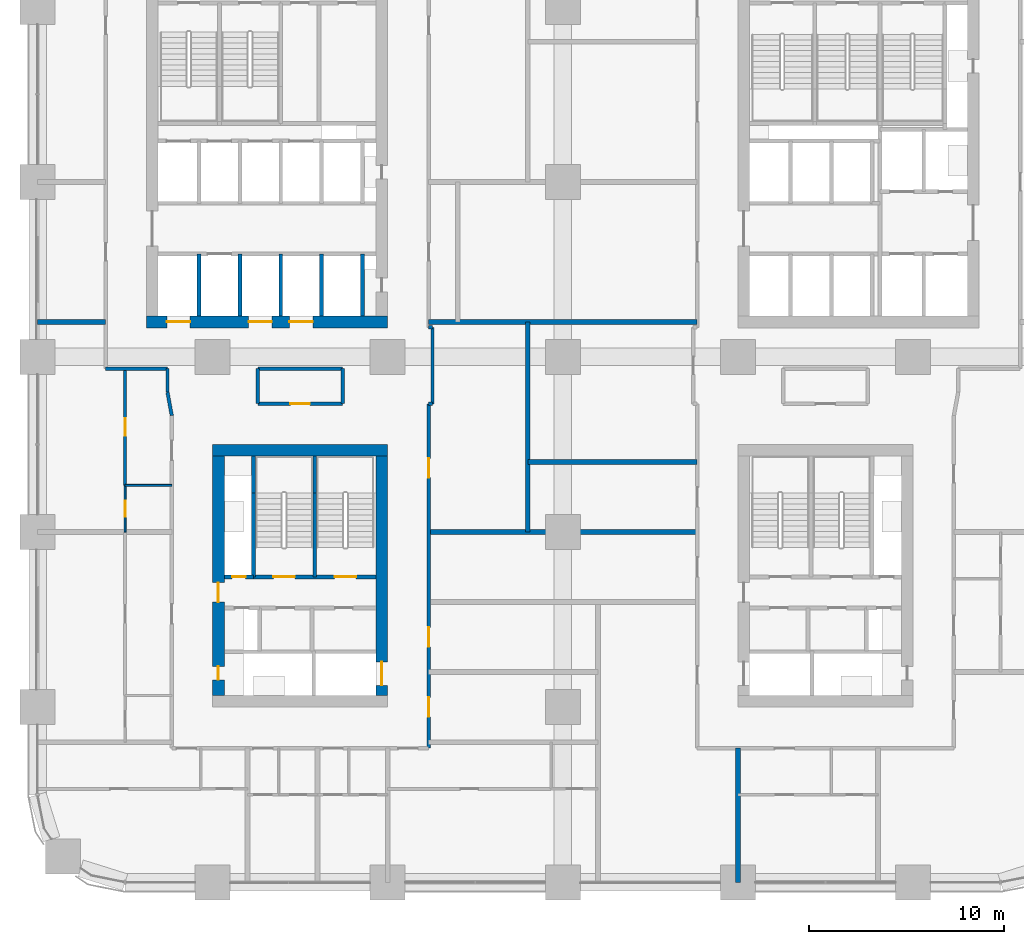
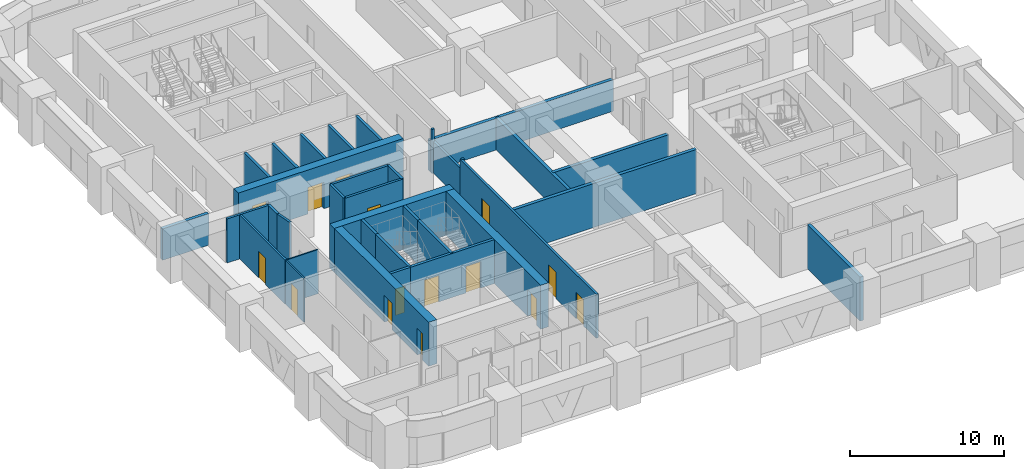
# One storey, part 14 of 21: 35 walls, 15 doors, 15 openings.
"""IFC4 building model written with IfcOpenShell, lengths in metres."""

from ifc_helpers import new_model, si_unit, direction, frame, frame_2d, origin, place, context, subcontext, project, spatial, rectangle, extrude, material, layer, layer_set, type_object, element, fill, save


model = new_model("IFC4")

# Units and contexts
model_context = context("Model", 3, precision=1e-05, world=origin(), true_north=direction((0.0, 1.0)))
body_context = subcontext(model_context, "Body", "Model", "MODEL_VIEW")
ifc_project = project(units=[si_unit("LENGTHUNIT", "METRE"), si_unit("AREAUNIT", "SQUARE_METRE"), si_unit("VOLUMEUNIT", "CUBIC_METRE"), si_unit("PLANEANGLEUNIT", "RADIAN"), si_unit("MASSUNIT", "GRAM", prefix="KILO")], contexts=[model_context])

# Site, building, storey
site_placement = place(None, origin())
site = spatial("IfcSite", under=ifc_project, at=site_placement, CompositionType="ELEMENT")
building_placement = place(site_placement, origin())
building = spatial("IfcBuilding", under=site, at=building_placement, Name="Tessera Arch", CompositionType="ELEMENT")
storey_placement = place(building_placement, frame((0.0, 0.0, 69.0)))
storey = spatial("IfcBuildingStorey", under=building, at=storey_placement, Name="L15", CompositionType="ELEMENT", Elevation=69.0)

# Wall, openings, doors
ifc_material_1 = material(Name="Concrete C70/85", Category="concrete")
ifc_layer_1 = layer(ifc_material_1, 0.60009765625)
ifc_layer_set_1 = layer_set([ifc_layer_1], Name="Core shell wall 600 C70-85")
wall_type_1 = type_object("IfcWallType", Name="Core shell wall 600 C70-85", PredefinedType="SHEAR", material=ifc_layer_set_1)
wall_1_placement = place(storey_placement, frame((5.60009765625, 28.800048828125, 0.0), z_axis=(0.0, 0.0, 1.0), x_axis=(1.0, 0.0, 0.0)))
wall_1 = element("IfcWall", 1, at=wall_1_placement, inside=storey, type_object=wall_type_1, Name="L15 C2 core wall S", PredefinedType="SHEAR", context=body_context, shape_type="SweptSolid", body=[
    extrude(rectangle(XDim=12.39990234375, YDim=0.60009765625, at=frame_2d((6.199951171875, 0.0))), origin(), (0.0, 0.0, 1.0), 3.5),
])
opening_1_placement = place(wall_1_placement, frame((1.050048828125, 0.0, 0.0)))
opening_1 = element("IfcOpeningElement", 2, at=opening_1_placement, cuts=wall_1, Name="Opening L15-C14", PredefinedType="OPENING", context=body_context, shape_type="SweptSolid", body=[
    extrude(rectangle(XDim=1.199951171875, YDim=2.10009765625, at=frame_2d((0.60009765625, 1.050048828125))), frame((0.0, 0.31005859375, 0.0), z_axis=(0.0, -1.0, 0.0), x_axis=(1.0, 0.0, 0.0)), (0.0, 0.0, 1.0), 0.6201171875),
])
opening_2_placement = place(wall_1_placement, frame((5.25, 0.0, 0.0)))
opening_2 = element("IfcOpeningElement", 3, at=opening_2_placement, cuts=wall_1, Name="Opening L15-C16", PredefinedType="OPENING", context=body_context, shape_type="SweptSolid", body=[
    extrude(rectangle(XDim=1.199951171875, YDim=2.10009765625, at=frame_2d((0.60009765625, 1.050048828125))), frame((0.0, 0.31005859375, 0.0), z_axis=(0.0, -1.0, 0.0), x_axis=(1.0, 0.0, 0.0)), (0.0, 0.0, 1.0), 0.6201171875),
])
opening_3_placement = place(wall_1_placement, frame((7.35009765625, 0.0, 0.0)))
opening_3 = element("IfcOpeningElement", 4, at=opening_3_placement, cuts=wall_1, Name="Opening L15-C17", PredefinedType="OPENING", context=body_context, shape_type="SweptSolid", body=[
    extrude(rectangle(XDim=1.199951171875, YDim=2.10009765625, at=frame_2d((0.60009765625, 1.050048828125))), frame((0.0, 0.31005859375, 0.0), z_axis=(0.0, -1.0, 0.0), x_axis=(1.0, 0.0, 0.0)), (0.0, 0.0, 1.0), 0.6201171875),
])
ifc_material_2 = material(Name="Stainless steel AISI 304", Category="steel")
door_type_1 = type_object("IfcDoorType", Name="Sliding landing door 1200 x 2100", OperationType="SLIDING_TO_LEFT", PredefinedType="DOOR", material=ifc_material_2)
door_1_placement = place(opening_1_placement, origin())
door_1 = element("IfcDoor", 5, at=door_1_placement, inside=storey, type_object=door_type_1, Name="L15 LR1 lift landing door C14 type LD", OperationType="SLIDING_TO_LEFT", OverallHeight=2.10009765625, OverallWidth=1.199951171875, PredefinedType="DOOR", context=body_context, shape_type="SweptSolid", body=[
    extrude(rectangle(XDim=1.199951171875, YDim=2.10009765625, at=frame_2d((0.60009765625, 1.050048828125))), frame((0.0, 0.02490234375, 0.0), z_axis=(0.0, -1.0, 0.0), x_axis=(1.0, 0.0, 0.0)), (0.0, 0.0, 1.0), 0.050048828125),
])
fill(opening_1, door_1)
door_2_placement = place(opening_2_placement, origin())
door_2 = element("IfcDoor", 6, at=door_2_placement, inside=storey, type_object=door_type_1, Name="L15 LR3 lift landing door C16 type LD", OperationType="SLIDING_TO_LEFT", OverallHeight=2.10009765625, OverallWidth=1.199951171875, PredefinedType="DOOR", context=body_context, shape_type="SweptSolid", body=[
    extrude(rectangle(XDim=1.199951171875, YDim=2.10009765625, at=frame_2d((0.60009765625, 1.050048828125))), frame((0.0, 0.02490234375, 0.0), z_axis=(0.0, -1.0, 0.0), x_axis=(1.0, 0.0, 0.0)), (0.0, 0.0, 1.0), 0.050048828125),
])
fill(opening_2, door_2)
door_3_placement = place(opening_3_placement, origin())
door_3 = element("IfcDoor", 7, at=door_3_placement, inside=storey, type_object=door_type_1, Name="L15 LR4 lift landing door C17 type LD", OperationType="SLIDING_TO_LEFT", OverallHeight=2.10009765625, OverallWidth=1.199951171875, PredefinedType="DOOR", context=body_context, shape_type="SweptSolid", body=[
    extrude(rectangle(XDim=1.199951171875, YDim=2.10009765625, at=frame_2d((0.60009765625, 1.050048828125))), frame((0.0, 0.02490234375, 0.0), z_axis=(0.0, -1.0, 0.0), x_axis=(1.0, 0.0, 0.0)), (0.0, 0.0, 1.0), 0.050048828125),
])
fill(opening_3, door_3)

# Wall
wall_2_placement = place(storey_placement, frame((9.0, 22.199951171875, 0.0), z_axis=(0.0, 0.0, 1.0), x_axis=(1.0, 0.0, 0.0)))
element("IfcWall", 8, at=wall_2_placement, inside=storey, type_object=wall_type_1, Name="L15 C4 core wall N", PredefinedType="SHEAR", context=body_context, shape_type="SweptSolid", body=[
    extrude(rectangle(XDim=9.0, YDim=0.60009765625, at=frame_2d((4.5, 0.0))), origin(), (0.0, 0.0, 1.0), 3.5),
])

# Wall, openings, doors
wall_3_placement = place(storey_placement, frame((9.300048828125, 9.60009765625, 0.0), z_axis=(0.0, 0.0, 1.0), x_axis=(0.0, 1.0, 0.0)))
wall_3 = element("IfcWall", 9, at=wall_3_placement, inside=storey, type_object=wall_type_1, Name="L15 C4 core wall W", PredefinedType="SHEAR", context=body_context, shape_type="SweptSolid", body=[
    extrude(rectangle(XDim=12.2998046875, YDim=0.60009765625, at=frame_2d((6.14990234375, 0.0))), origin(), (0.0, 0.0, 1.0), 3.5),
])
opening_4_placement = place(wall_3_placement, frame((0.800048828125, 0.0, 0.0)))
opening_4 = element("IfcOpeningElement", 10, at=opening_4_placement, cuts=wall_3, Name="Opening L15-C46", PredefinedType="OPENING", context=body_context, shape_type="SweptSolid", body=[
    extrude(rectangle(XDim=0.699951171875, YDim=2.10009765625, at=frame_2d((0.35009765625, 1.050048828125))), frame((0.0, 0.31005859375, 0.0), z_axis=(0.0, -1.0, 0.0), x_axis=(1.0, 0.0, 0.0)), (0.0, 0.0, 1.0), 0.6201171875),
])
opening_5_placement = place(wall_3_placement, frame((4.800048828125, 0.0, 0.0)))
opening_5 = element("IfcOpeningElement", 11, at=opening_5_placement, cuts=wall_3, Name="Opening L15-C47", PredefinedType="OPENING", context=body_context, shape_type="SweptSolid", body=[
    extrude(rectangle(XDim=1.0, YDim=2.10009765625, at=frame_2d((0.5, 1.050048828125))), frame((0.0, 0.31005859375, 0.0), z_axis=(0.0, -1.0, 0.0), x_axis=(1.0, 0.0, 0.0)), (0.0, 0.0, 1.0), 0.6201171875),
])
ifc_material_3 = material(Name="Steel door leaf", Category="steel")
door_type_2 = type_object("IfcDoorType", Name="Corridor door FD60 1000 x 2100", OperationType="SINGLE_SWING_LEFT", PredefinedType="DOOR", material=ifc_material_3)
door_4_placement = place(opening_5_placement, origin())
door_4 = element("IfcDoor", 12, at=door_4_placement, inside=storey, type_object=door_type_2, Name="L15 C4 door 7 C47 type D12", OperationType="SINGLE_SWING_LEFT", OverallHeight=2.10009765625, OverallWidth=1.0, PredefinedType="DOOR", context=body_context, shape_type="SweptSolid", body=[
    extrude(rectangle(XDim=1.0, YDim=2.10009765625, at=frame_2d((0.5, 1.050048828125))), frame((0.0, 0.02490234375, 0.0), z_axis=(0.0, -1.0, 0.0), x_axis=(1.0, 0.0, 0.0)), (0.0, 0.0, 1.0), 0.050048828125),
])
fill(opening_5, door_4)
ifc_material_4 = material(Name="Steel door leaf", Category="steel")
door_type_3 = type_object("IfcDoorType", Name="Service shaft door FD60 700 x 2100", OperationType="SINGLE_SWING_LEFT", PredefinedType="DOOR", material=ifc_material_4)
door_5_placement = place(opening_4_placement, origin())
door_5 = element("IfcDoor", 13, at=door_5_placement, inside=storey, type_object=door_type_3, Name="L15 C4 door 6 C46 type D07", OperationType="SINGLE_SWING_LEFT", OverallHeight=2.10009765625, OverallWidth=0.699951171875, PredefinedType="DOOR", context=body_context, shape_type="SweptSolid", body=[
    extrude(rectangle(XDim=0.699951171875, YDim=2.10009765625, at=frame_2d((0.35009765625, 1.050048828125))), frame((0.0, 0.02490234375, 0.0), z_axis=(0.0, -1.0, 0.0), x_axis=(1.0, 0.0, 0.0)), (0.0, 0.0, 1.0), 0.050048828125),
])
fill(opening_4, door_5)

# Wall, opening, door
wall_4_placement = place(storey_placement, frame((17.699951171875, 9.60009765625, 0.0), z_axis=(0.0, 0.0, 1.0), x_axis=(0.0, 1.0, 0.0)))
wall_4 = element("IfcWall", 14, at=wall_4_placement, inside=storey, type_object=wall_type_1, Name="L15 C4 core wall E", PredefinedType="SHEAR", context=body_context, shape_type="SweptSolid", body=[
    extrude(rectangle(XDim=12.2998046875, YDim=0.60009765625, at=frame_2d((6.14990234375, 0.0))), origin(), (0.0, 0.0, 1.0), 3.5),
])
opening_6_placement = place(wall_4_placement, frame((0.52490234375, 0.0, 0.0)))
opening_6 = element("IfcOpeningElement", 15, at=opening_6_placement, cuts=wall_4, Name="Opening L15-C41", PredefinedType="OPENING", context=body_context, shape_type="SweptSolid", body=[
    extrude(rectangle(XDim=1.199951171875, YDim=2.10009765625, at=frame_2d((0.60009765625, 1.050048828125))), frame((0.0, 0.31005859375, 0.0), z_axis=(0.0, -1.0, 0.0), x_axis=(1.0, 0.0, 0.0)), (0.0, 0.0, 1.0), 0.6201171875),
])
door_6_placement = place(opening_6_placement, origin())
door_6 = element("IfcDoor", 16, at=door_6_placement, inside=storey, type_object=door_type_1, Name="L15 SV3 lift landing door C41 type LD", OperationType="SLIDING_TO_LEFT", OverallHeight=2.10009765625, OverallWidth=1.199951171875, PredefinedType="DOOR", context=body_context, shape_type="SweptSolid", body=[
    extrude(rectangle(XDim=1.199951171875, YDim=2.10009765625, at=frame_2d((0.60009765625, 1.050048828125))), frame((0.0, 0.02490234375, 0.0), z_axis=(0.0, -1.0, 0.0), x_axis=(1.0, 0.0, 0.0)), (0.0, 0.0, 1.0), 0.050048828125),
])
fill(opening_6, door_6)

# Wall
ifc_material_5 = material(Name="Gypsum board on deep steel stud with mineral wool", Category="steel")
ifc_layer_2 = layer(ifc_material_5, 0.175048828125)
ifc_layer_set_2 = layer_set([ifc_layer_2], Name="Corridor wall 175 EI 60")
wall_type_2 = type_object("IfcWallType", Name="Corridor wall 175 EI 60", PredefinedType="PARTITIONING", material=ifc_layer_set_2)
wall_5_placement = place(storey_placement, frame((20.10009765625, 24.590087890625, 0.0), z_axis=(0.0, 0.0, 1.0), x_axis=(1.0, 0.0, 0.0)))
element("IfcWall", 17, at=wall_5_placement, inside=storey, type_object=wall_type_2, Name="L15 partition 3", PredefinedType="PARTITIONING", context=body_context, shape_type="SweptSolid", body=[
    extrude(rectangle(XDim=0.199951171875, YDim=0.175048828125, at=frame_2d((0.10009765625, 0.0))), origin(), (0.0, 0.0, 1.0), 3.5),
])

# Wall, opening, door
wall_6_placement = place(storey_placement, frame((11.320068359375, 24.60009765625, 0.0), z_axis=(0.0, 0.0, 1.0), x_axis=(1.0, 0.0, 0.0)))
wall_6 = element("IfcWall", 18, at=wall_6_placement, inside=storey, type_object=wall_type_2, Name="L15 partition 5", PredefinedType="PARTITIONING", context=body_context, shape_type="SweptSolid", body=[
    extrude(rectangle(XDim=4.35986328125, YDim=0.175048828125, at=frame_2d((2.179931640625, 0.0))), origin(), (0.0, 0.0, 1.0), 3.5),
])
opening_7_placement = place(wall_6_placement, frame((1.679931640625, 0.0, 0.0)))
opening_7 = element("IfcOpeningElement", 19, at=opening_7_placement, cuts=wall_6, Name="Opening L15-D034", PredefinedType="OPENING", context=body_context, shape_type="SweptSolid", body=[
    extrude(rectangle(XDim=1.0, YDim=2.10009765625, at=frame_2d((0.5, 1.050048828125))), frame((0.0, 0.097412109375, 0.0), z_axis=(0.0, -1.0, 0.0), x_axis=(1.0, 0.0, 0.0)), (0.0, 0.0, 1.0), 0.195068359375),
])
ifc_material_6 = material(Name="Fire-rated door leaf")
door_type_4 = type_object("IfcDoorType", Name="Entrance door FD30S 1000 x 2100", OperationType="SINGLE_SWING_LEFT", PredefinedType="DOOR", material=ifc_material_6)
door_7_placement = place(opening_7_placement, origin())
door_7 = element("IfcDoor", 20, at=door_7_placement, inside=storey, type_object=door_type_4, Name="L15 door D034 type D03", OperationType="SINGLE_SWING_RIGHT", OverallHeight=2.10009765625, OverallWidth=1.0, PredefinedType="DOOR", context=body_context, shape_type="SweptSolid", body=[
    extrude(rectangle(XDim=1.0, YDim=2.10009765625, at=frame_2d((0.5, 1.050048828125))), frame((0.0, 0.02490234375, 0.0), z_axis=(0.0, -1.0, 0.0), x_axis=(1.0, 0.0, 0.0)), (0.0, 0.0, 1.0), 0.050048828125),
])
fill(opening_7, door_7)

# Walls
wall_7_placement = place(storey_placement, frame((3.5, 26.39990234375, 0.0), z_axis=(0.0, 0.0, 1.0), x_axis=(1.0, 0.0, 0.0)))
element("IfcWall", 21, at=wall_7_placement, inside=storey, type_object=wall_type_2, Name="L15 partition 7", PredefinedType="PARTITIONING", context=body_context, shape_type="SweptSolid", body=[
    extrude(rectangle(XDim=3.179931640625, YDim=0.175048828125, at=frame_2d((1.58984375, 0.0))), origin(), (0.0, 0.0, 1.0), 3.5),
])
wall_8_placement = place(storey_placement, frame((11.320068359375, 26.39990234375, 0.0), z_axis=(0.0, 0.0, 1.0), x_axis=(1.0, 0.0, 0.0)))
element("IfcWall", 22, at=wall_8_placement, inside=storey, type_object=wall_type_2, Name="L15 partition 8", PredefinedType="PARTITIONING", context=body_context, shape_type="SweptSolid", body=[
    extrude(rectangle(XDim=4.35986328125, YDim=0.175048828125, at=frame_2d((2.179931640625, 0.0))), origin(), (0.0, 0.0, 1.0), 3.5),
])
wall_9_placement = place(storey_placement, frame((20.10009765625, 28.52001953125, 0.0), z_axis=(0.0, 0.0, 1.0), x_axis=(1.0, 0.0, 0.0)))
element("IfcWall", 23, at=wall_9_placement, inside=storey, type_object=wall_type_2, Name="L15 partition 11", PredefinedType="PARTITIONING", context=body_context, shape_type="SweptSolid", body=[
    extrude(rectangle(XDim=0.199951171875, YDim=0.175048828125, at=frame_2d((0.10009765625, 0.0))), origin(), (0.0, 0.0, 1.0), 3.5),
])
wall_10_placement = place(storey_placement, frame((6.679931640625, 25.18994140625, 0.0), z_axis=(0.0, 0.0, 1.0), x_axis=(0.0, 1.0, 0.0)))
element("IfcWall", 24, at=wall_10_placement, inside=storey, type_object=wall_type_2, Name="L15 partition 16", PredefinedType="PARTITIONING", context=body_context, shape_type="SweptSolid", body=[
    extrude(rectangle(XDim=1.2099609375, YDim=0.175048828125, at=frame_2d((0.60498046875, 0.0))), origin(), (0.0, 0.0, 1.0), 3.5),
])
for number, where, z_axis, x_axis, name in (
    (25, (11.320068359375, 24.60009765625, 0.0), (0.0, 0.0, 1.0), (0.0, 1.0, 0.0), "L15 partition 18"),
    (26, (15.679931640625, 24.60009765625, 0.0), (0.0, 0.0, 1.0), (0.0, 1.0, 0.0), "L15 partition 19"),
):
    element("IfcWall", number, at=place(storey_placement, frame(where, z_axis=z_axis, x_axis=x_axis)), inside=storey, type_object=wall_type_2, Name=name, PredefinedType="PARTITIONING", context=body_context, shape_type="SweptSolid", body=[
        extrude(rectangle(XDim=1.7998046875, YDim=0.175048828125, at=frame_2d((0.89990234375, 0.0))), origin(), (0.0, 0.0, 1.0), 3.5),
    ])

# Wall, openings, doors
wall_11_placement = place(storey_placement, frame((20.10009765625, 6.89990234375, 0.0), z_axis=(0.0, 0.0, 1.0), x_axis=(0.0, 1.0, 0.0)))
wall_11 = element("IfcWall", 27, at=wall_11_placement, inside=storey, type_object=wall_type_2, Name="L15 partition 20", PredefinedType="PARTITIONING", context=body_context, shape_type="SweptSolid", body=[
    extrude(rectangle(XDim=17.690185546875, YDim=0.175048828125, at=frame_2d((8.84521484375, 0.0))), origin(), (0.0, 0.0, 1.0), 3.5),
])
opening_8_placement = place(wall_11_placement, frame((1.60009765625, 0.0, 0.0)))
opening_8 = element("IfcOpeningElement", 28, at=opening_8_placement, cuts=wall_11, Name="Opening L15-D018", PredefinedType="OPENING", context=body_context, shape_type="SweptSolid", body=[
    extrude(rectangle(XDim=1.0, YDim=2.10009765625, at=frame_2d((0.5, 1.050048828125))), frame((0.0, 0.097412109375, 0.0), z_axis=(0.0, -1.0, 0.0), x_axis=(1.0, 0.0, 0.0)), (0.0, 0.0, 1.0), 0.195068359375),
])
opening_9_placement = place(wall_11_placement, frame((5.199951171875, 0.0, 0.0)))
opening_9 = element("IfcOpeningElement", 29, at=opening_9_placement, cuts=wall_11, Name="Opening L15-D022", PredefinedType="OPENING", context=body_context, shape_type="SweptSolid", body=[
    extrude(rectangle(XDim=1.0, YDim=2.10009765625, at=frame_2d((0.5, 1.050048828125))), frame((0.0, 0.097412109375, 0.0), z_axis=(0.0, -1.0, 0.0), x_axis=(1.0, 0.0, 0.0)), (0.0, 0.0, 1.0), 0.195068359375),
])
opening_10_placement = place(wall_11_placement, frame((13.89501953125, 0.0, 0.0)))
opening_10 = element("IfcOpeningElement", 30, at=opening_10_placement, cuts=wall_11, Name="Opening L15-D032", PredefinedType="OPENING", context=body_context, shape_type="SweptSolid", body=[
    extrude(rectangle(XDim=1.0, YDim=2.10009765625, at=frame_2d((0.5, 1.050048828125))), frame((0.0, 0.097412109375, 0.0), z_axis=(0.0, -1.0, 0.0), x_axis=(1.0, 0.0, 0.0)), (0.0, 0.0, 1.0), 0.195068359375),
])
door_8_placement = place(opening_8_placement, origin())
door_8 = element("IfcDoor", 31, at=door_8_placement, inside=storey, type_object=door_type_4, Name="L15 door D018 type D03", OperationType="SINGLE_SWING_LEFT", OverallHeight=2.10009765625, OverallWidth=1.0, PredefinedType="DOOR", context=body_context, shape_type="SweptSolid", body=[
    extrude(rectangle(XDim=1.0, YDim=2.10009765625, at=frame_2d((0.5, 1.050048828125))), frame((0.0, 0.02490234375, 0.0), z_axis=(0.0, -1.0, 0.0), x_axis=(1.0, 0.0, 0.0)), (0.0, 0.0, 1.0), 0.050048828125),
])
fill(opening_8, door_8)
door_9_placement = place(opening_9_placement, origin())
door_9 = element("IfcDoor", 32, at=door_9_placement, inside=storey, type_object=door_type_4, Name="L15 door D022 type D03", OperationType="SINGLE_SWING_LEFT", OverallHeight=2.10009765625, OverallWidth=1.0, PredefinedType="DOOR", context=body_context, shape_type="SweptSolid", body=[
    extrude(rectangle(XDim=1.0, YDim=2.10009765625, at=frame_2d((0.5, 1.050048828125))), frame((0.0, 0.02490234375, 0.0), z_axis=(0.0, -1.0, 0.0), x_axis=(1.0, 0.0, 0.0)), (0.0, 0.0, 1.0), 0.050048828125),
])
fill(opening_9, door_9)
door_10_placement = place(opening_10_placement, origin())
door_10 = element("IfcDoor", 33, at=door_10_placement, inside=storey, type_object=door_type_4, Name="L15 door D032 type D03", OperationType="SINGLE_SWING_LEFT", OverallHeight=2.10009765625, OverallWidth=1.0, PredefinedType="DOOR", context=body_context, shape_type="SweptSolid", body=[
    extrude(rectangle(XDim=1.0, YDim=2.10009765625, at=frame_2d((0.5, 1.050048828125))), frame((0.0, 0.02490234375, 0.0), z_axis=(0.0, -1.0, 0.0), x_axis=(1.0, 0.0, 0.0)), (0.0, 0.0, 1.0), 0.050048828125),
])
fill(opening_10, door_10)

# Walls
wall_12_placement = place(storey_placement, frame((20.300048828125, 24.590087890625, 0.0), z_axis=(0.0, 0.0, 1.0), x_axis=(0.0, 1.0, 0.0)))
element("IfcWall", 34, at=wall_12_placement, inside=storey, type_object=wall_type_2, Name="L15 partition 22", PredefinedType="PARTITIONING", context=body_context, shape_type="SweptSolid", body=[
    extrude(rectangle(XDim=3.929931640625, YDim=0.175048828125, at=frame_2d((1.96484375, 0.0))), origin(), (0.0, 0.0, 1.0), 2.5),
])
wall_13_placement = place(storey_placement, frame((6.89990234375, 23.989990234375, 0.0), z_axis=(0.0, 0.0, 1.0), x_axis=(-0.180311734132, 0.983609515272, 0.0)))
element("IfcWall", 35, at=wall_13_placement, inside=storey, type_object=wall_type_2, Name="L15 partition 87", PredefinedType="PARTITIONING", context=body_context, shape_type="SweptSolid", body=[
    extrude(rectangle(XDim=1.219970703125, YDim=0.175048828125, at=frame_2d((0.60986328125, 0.0))), origin(), (0.0, 0.0, 1.0), 3.5),
])

# Wall, opening, door
ifc_material_7 = material(Name="Gypsum board on steel stud", Category="steel")
ifc_layer_3 = layer(ifc_material_7, 0.14990234375)
ifc_layer_set_3 = layer_set([ifc_layer_3], Name="Partition 150")
wall_type_3 = type_object("IfcWallType", Name="Partition 150", PredefinedType="PARTITIONING", material=ifc_layer_set_3)
wall_14_placement = place(storey_placement, frame((4.5, 20.39990234375, 0.0), z_axis=(0.0, 0.0, 1.0), x_axis=(0.0, 1.0, 0.0)))
wall_14 = element("IfcWall", 36, at=wall_14_placement, inside=storey, type_object=wall_type_3, Name="L15 partition 37", PredefinedType="PARTITIONING", context=body_context, shape_type="SweptSolid", body=[
    extrude(rectangle(XDim=6.0, YDim=0.14990234375, at=frame_2d((3.0, 0.0))), origin(), (0.0, 0.0, 1.0), 3.5),
])
opening_11_placement = place(wall_14_placement, frame((2.550048828125, 0.0, 0.0)))
opening_11 = element("IfcOpeningElement", 37, at=opening_11_placement, cuts=wall_14, Name="Opening L15-D029", PredefinedType="OPENING", context=body_context, shape_type="SweptSolid", body=[
    extrude(rectangle(XDim=0.89990234375, YDim=2.10009765625, at=frame_2d((0.449951171875, 1.050048828125))), frame((0.0, 0.0849609375, 0.0), z_axis=(0.0, -1.0, 0.0), x_axis=(1.0, 0.0, 0.0)), (0.0, 0.0, 1.0), 0.169921875),
])
ifc_material_8 = material(Name="Timber door leaf", Category="wood")
door_type_5 = type_object("IfcDoorType", Name="Room door 900 x 2100", OperationType="SINGLE_SWING_LEFT", PredefinedType="DOOR", material=ifc_material_8)
door_11_placement = place(opening_11_placement, origin())
door_11 = element("IfcDoor", 38, at=door_11_placement, inside=storey, type_object=door_type_5, Name="L15 door D029 type D01", OperationType="SINGLE_SWING_LEFT", OverallHeight=2.10009765625, OverallWidth=0.89990234375, PredefinedType="DOOR", context=body_context, shape_type="SweptSolid", body=[
    extrude(rectangle(XDim=0.89990234375, YDim=2.10009765625, at=frame_2d((0.449951171875, 1.050048828125))), frame((0.0, 0.02490234375, 0.0), z_axis=(0.0, -1.0, 0.0), x_axis=(1.0, 0.0, 0.0)), (0.0, 0.0, 1.0), 0.050048828125),
])
fill(opening_11, door_11)

# Walls
ifc_material_9 = material(Name="Double gypsum board on twin steel stud with acoustic mineral wool", Category="steel")
ifc_layer_4 = layer(ifc_material_9, 0.25)
ifc_layer_set_4 = layer_set([ifc_layer_4], Name="Party wall 250 EI 60")
wall_type_4 = type_object("IfcWallType", Name="Party wall 250 EI 60", PredefinedType="PARTITIONING", material=ifc_layer_set_4)
wall_15_placement = place(storey_placement, frame((20.10009765625, 18.0, 0.0), z_axis=(0.0, 0.0, 1.0), x_axis=(1.0, 0.0, 0.0)))
element("IfcWall", 39, at=wall_15_placement, inside=storey, type_object=wall_type_4, Name="L15 partition 45", PredefinedType="PARTITIONING", context=body_context, shape_type="SweptSolid", body=[
    extrude(rectangle(XDim=13.7998046875, YDim=0.25, at=frame_2d((6.89990234375, 0.0))), origin(), (0.0, 0.0, 1.0), 3.5),
])
wall_16_placement = place(storey_placement, frame((25.199951171875, 21.60009765625, 0.0), z_axis=(0.0, 0.0, 1.0), x_axis=(1.0, 0.0, 0.0)))
element("IfcWall", 40, at=wall_16_placement, inside=storey, type_object=wall_type_4, Name="L15 partition 47", PredefinedType="PARTITIONING", context=body_context, shape_type="SweptSolid", body=[
    extrude(rectangle(XDim=8.699951171875, YDim=0.25, at=frame_2d((4.35009765625, 0.0))), origin(), (0.0, 0.0, 1.0), 2.5),
])
wall_17_placement = place(storey_placement, frame((0.0, 28.800048828125, 0.0), z_axis=(0.0, 0.0, 1.0), x_axis=(1.0, 0.0, 0.0)))
element("IfcWall", 41, at=wall_17_placement, inside=storey, type_object=wall_type_4, Name="L15 partition 48", PredefinedType="PARTITIONING", context=body_context, shape_type="SweptSolid", body=[
    extrude(rectangle(XDim=3.5, YDim=0.25, at=frame_2d((1.75, 0.0))), origin(), (0.0, 0.0, 1.0), 2.5),
])
wall_18_placement = place(storey_placement, frame((20.10009765625, 28.800048828125, 0.0), z_axis=(0.0, 0.0, 1.0), x_axis=(1.0, 0.0, 0.0)))
element("IfcWall", 42, at=wall_18_placement, inside=storey, type_object=wall_type_4, Name="L15 partition 49", PredefinedType="PARTITIONING", context=body_context, shape_type="SweptSolid", body=[
    extrude(rectangle(XDim=13.7998046875, YDim=0.25, at=frame_2d((6.89990234375, 0.0))), origin(), (0.0, 0.0, 1.0), 2.5),
])
wall_19_placement = place(storey_placement, frame((25.199951171875, 18.0, 0.0), z_axis=(0.0, 0.0, 1.0), x_axis=(0.0, 1.0, 0.0)))
element("IfcWall", 43, at=wall_19_placement, inside=storey, type_object=wall_type_4, Name="L15 partition 62", PredefinedType="PARTITIONING", context=body_context, shape_type="SweptSolid", body=[
    extrude(rectangle(XDim=10.800048828125, YDim=0.25, at=frame_2d((5.39990234375, 0.0))), origin(), (0.0, 0.0, 1.0), 2.5),
])
wall_20_placement = place(storey_placement, frame((36.0, 0.0, 0.0), z_axis=(0.0, 0.0, 1.0), x_axis=(0.0, 1.0, 0.0)))
element("IfcWall", 44, at=wall_20_placement, inside=storey, type_object=wall_type_4, Name="L15 partition 66", PredefinedType="PARTITIONING", context=body_context, shape_type="SweptSolid", body=[
    extrude(rectangle(XDim=6.89990234375, YDim=0.25, at=frame_2d((3.449951171875, 0.0))), origin(), (0.0, 0.0, 1.0), 3.5),
])
ifc_material_10 = material(Name="Concrete C40/50", Category="concrete")
ifc_layer_5 = layer(ifc_material_10, 0.199951171875)
ifc_layer_set_5 = layer_set([ifc_layer_5], Name="Shaft wall 200 EI 120")
wall_type_5 = type_object("IfcWallType", Name="Shaft wall 200 EI 120", PredefinedType="SOLIDWALL", material=ifc_layer_set_5)
for number, where, z_axis, x_axis, name in (
    (45, (8.300048828125, 29.10009765625, 0.0), (0.0, 0.0, 1.0), (0.0, 1.0, 0.0), "L15 C2 shaft wall 1"),
    (46, (10.39990234375, 29.10009765625, 0.0), (0.0, 0.0, 1.0), (0.0, 1.0, 0.0), "L15 C2 shaft wall 6"),
    (47, (12.5, 29.10009765625, 0.0), (0.0, 0.0, 1.0), (0.0, 1.0, 0.0), "L15 C2 shaft wall 8"),
    (48, (14.60009765625, 29.10009765625, 0.0), (0.0, 0.0, 1.0), (0.0, 1.0, 0.0), "L15 C2 shaft wall 13"),
    (49, (16.699951171875, 29.10009765625, 0.0), (0.0, 0.0, 1.0), (0.0, 1.0, 0.0), "L15 C2 shaft wall 15"),
):
    element("IfcWall", number, at=place(storey_placement, frame(where, z_axis=z_axis, x_axis=x_axis)), inside=storey, type_object=wall_type_5, Name=name, PredefinedType="SOLIDWALL", context=body_context, shape_type="SweptSolid", body=[
        extrude(rectangle(XDim=3.199951171875, YDim=0.199951171875, at=frame_2d((1.60009765625, 0.0))), origin(), (0.0, 0.0, 1.0), 3.5),
    ])

# Wall, opening, door
wall_21_placement = place(storey_placement, frame((9.60009765625, 15.699951171875, 0.0), z_axis=(0.0, 0.0, 1.0), x_axis=(1.0, 0.0, 0.0)))
wall_21 = element("IfcWall", 50, at=wall_21_placement, inside=storey, type_object=wall_type_5, Name="L15 C4 shaft wall 11", PredefinedType="SOLIDWALL", context=body_context, shape_type="SweptSolid", body=[
    extrude(rectangle(XDim=1.5, YDim=0.199951171875, at=frame_2d((0.75, 0.0))), origin(), (0.0, 0.0, 1.0), 3.5),
])
opening_12_placement = place(wall_21_placement, frame((0.39990234375, 0.0, 0.0)))
opening_12 = element("IfcOpeningElement", 51, at=opening_12_placement, cuts=wall_21, Name="Opening L15-C44", PredefinedType="OPENING", context=body_context, shape_type="SweptSolid", body=[
    extrude(rectangle(XDim=0.699951171875, YDim=2.10009765625, at=frame_2d((0.35009765625, 1.050048828125))), frame((0.0, 0.10986328125, 0.0), z_axis=(0.0, -1.0, 0.0), x_axis=(1.0, 0.0, 0.0)), (0.0, 0.0, 1.0), 0.219970703125),
])
door_12_placement = place(opening_12_placement, origin())
door_12 = element("IfcDoor", 52, at=door_12_placement, inside=storey, type_object=door_type_3, Name="L15 C4 door 4 C44 type D07", OperationType="SINGLE_SWING_LEFT", OverallHeight=2.10009765625, OverallWidth=0.699951171875, PredefinedType="DOOR", context=body_context, shape_type="SweptSolid", body=[
    extrude(rectangle(XDim=0.699951171875, YDim=2.10009765625, at=frame_2d((0.35009765625, 1.050048828125))), frame((0.0, 0.02490234375, 0.0), z_axis=(0.0, -1.0, 0.0), x_axis=(1.0, 0.0, 0.0)), (0.0, 0.0, 1.0), 0.050048828125),
])
fill(opening_12, door_12)

# Walls
ifc_material_11 = material(Name="Concrete C40/50", Category="concrete")
ifc_layer_6 = layer(ifc_material_11, 0.199951171875)
ifc_layer_set_6 = layer_set([ifc_layer_6], Name="Stair well wall 200 REI 180")
wall_type_6 = type_object("IfcWallType", Name="Stair well wall 200 REI 180", PredefinedType="SOLIDWALL", material=ifc_layer_set_6)
wall_22_placement = place(storey_placement, frame((11.10009765625, 15.699951171875, 0.0), z_axis=(0.0, 0.0, 1.0), x_axis=(0.0, 1.0, 0.0)))
element("IfcWall", 53, at=wall_22_placement, inside=storey, type_object=wall_type_6, Name="L15 C4 shaft wall 1", PredefinedType="SOLIDWALL", context=body_context, shape_type="SweptSolid", body=[
    extrude(rectangle(XDim=4.300048828125, YDim=0.199951171875, at=frame_2d((2.14990234375, 0.0))), origin(), (0.0, 0.0, 1.0), 3.5),
])
wall_23_placement = place(storey_placement, frame((11.10009765625, 20.0, 0.0), z_axis=(0.0, 0.0, 1.0), x_axis=(0.0, 1.0, 0.0)))
element("IfcWall", 54, at=wall_23_placement, inside=storey, type_object=wall_type_6, Name="L15 C4 shaft wall 2", PredefinedType="SOLIDWALL", context=body_context, shape_type="SweptSolid", body=[
    extrude(rectangle(XDim=1.89990234375, YDim=0.199951171875, at=frame_2d((0.949951171875, 0.0))), origin(), (0.0, 0.0, 1.0), 3.5),
])
wall_24_placement = place(storey_placement, frame((14.25, 15.699951171875, 0.0), z_axis=(0.0, 0.0, 1.0), x_axis=(0.0, 1.0, 0.0)))
element("IfcWall", 55, at=wall_24_placement, inside=storey, type_object=wall_type_6, Name="L15 C4 shaft wall 6", PredefinedType="SOLIDWALL", context=body_context, shape_type="SweptSolid", body=[
    extrude(rectangle(XDim=4.300048828125, YDim=0.199951171875, at=frame_2d((2.14990234375, 0.0))), origin(), (0.0, 0.0, 1.0), 3.5),
])
wall_25_placement = place(storey_placement, frame((14.25, 20.0, 0.0), z_axis=(0.0, 0.0, 1.0), x_axis=(0.0, 1.0, 0.0)))
element("IfcWall", 56, at=wall_25_placement, inside=storey, type_object=wall_type_6, Name="L15 C4 shaft wall 7", PredefinedType="SOLIDWALL", context=body_context, shape_type="SweptSolid", body=[
    extrude(rectangle(XDim=1.89990234375, YDim=0.199951171875, at=frame_2d((0.949951171875, 0.0))), origin(), (0.0, 0.0, 1.0), 3.5),
])

# Wall, openings, doors
wall_26_placement = place(storey_placement, frame((11.10009765625, 15.699951171875, 0.0), z_axis=(0.0, 0.0, 1.0), x_axis=(1.0, 0.0, 0.0)))
wall_26 = element("IfcWall", 57, at=wall_26_placement, inside=storey, type_object=wall_type_6, Name="L15 C4 shaft wall 12", PredefinedType="SOLIDWALL", context=body_context, shape_type="SweptSolid", body=[
    extrude(rectangle(XDim=6.2998046875, YDim=0.199951171875, at=frame_2d((3.14990234375, 0.0))), origin(), (0.0, 0.0, 1.0), 3.5),
])
opening_13_placement = place(wall_26_placement, frame((4.175048828125, 0.0, 0.0)))
opening_13 = element("IfcOpeningElement", 58, at=opening_13_placement, cuts=wall_26, Name="Opening L15-C42", PredefinedType="OPENING", context=body_context, shape_type="SweptSolid", body=[
    extrude(rectangle(XDim=1.10009765625, YDim=2.10009765625, at=frame_2d((0.550048828125, 1.050048828125))), frame((0.0, 0.10986328125, 0.0), z_axis=(0.0, -1.0, 0.0), x_axis=(1.0, 0.0, 0.0)), (0.0, 0.0, 1.0), 0.219970703125),
])
opening_14_placement = place(wall_26_placement, frame((1.02490234375, 0.0, 0.0)))
opening_14 = element("IfcOpeningElement", 59, at=opening_14_placement, cuts=wall_26, Name="Opening L15-C43", PredefinedType="OPENING", context=body_context, shape_type="SweptSolid", body=[
    extrude(rectangle(XDim=1.10009765625, YDim=2.10009765625, at=frame_2d((0.550048828125, 1.050048828125))), frame((0.0, 0.10986328125, 0.0), z_axis=(0.0, -1.0, 0.0), x_axis=(1.0, 0.0, 0.0)), (0.0, 0.0, 1.0), 0.219970703125),
])
ifc_material_12 = material(Name="Steel door leaf", Category="steel")
door_type_6 = type_object("IfcDoorType", Name="Stair door FD60 1100 x 2100", OperationType="SINGLE_SWING_LEFT", PredefinedType="DOOR", material=ifc_material_12)
door_13_placement = place(opening_13_placement, origin())
door_13 = element("IfcDoor", 60, at=door_13_placement, inside=storey, type_object=door_type_6, Name="L15 C4 door 2 C42 type D05", OperationType="SINGLE_SWING_RIGHT", OverallHeight=2.10009765625, OverallWidth=1.10009765625, PredefinedType="DOOR", context=body_context, shape_type="SweptSolid", body=[
    extrude(rectangle(XDim=1.10009765625, YDim=2.10009765625, at=frame_2d((0.550048828125, 1.050048828125))), frame((0.0, 0.02490234375, 0.0), z_axis=(0.0, -1.0, 0.0), x_axis=(1.0, 0.0, 0.0)), (0.0, 0.0, 1.0), 0.050048828125),
])
fill(opening_13, door_13)
door_14_placement = place(opening_14_placement, origin())
door_14 = element("IfcDoor", 61, at=door_14_placement, inside=storey, type_object=door_type_6, Name="L15 C4 door 3 C43 type D05", OperationType="SINGLE_SWING_LEFT", OverallHeight=2.10009765625, OverallWidth=1.10009765625, PredefinedType="DOOR", context=body_context, shape_type="SweptSolid", body=[
    extrude(rectangle(XDim=1.10009765625, YDim=2.10009765625, at=frame_2d((0.550048828125, 1.050048828125))), frame((0.0, 0.02490234375, 0.0), z_axis=(0.0, -1.0, 0.0), x_axis=(1.0, 0.0, 0.0)), (0.0, 0.0, 1.0), 0.050048828125),
])
fill(opening_14, door_14)

# Wall
ifc_material_13 = material(Name="Moisture-resistant board on pre-plumbed steel stud", Category="steel")
ifc_layer_7 = layer(ifc_material_13, 0.10009765625)
ifc_layer_set_7 = layer_set([ifc_layer_7], Name="Wet wall 100")
wall_type_7 = type_object("IfcWallType", Name="Wet wall 100", PredefinedType="PARTITIONING", material=ifc_layer_set_7)
wall_27_placement = place(storey_placement, frame((4.5, 20.39990234375, 0.0), z_axis=(0.0, 0.0, 1.0), x_axis=(1.0, 0.0, 0.0)))
element("IfcWall", 62, at=wall_27_placement, inside=storey, type_object=wall_type_7, Name="L15 partition 77", PredefinedType="PARTITIONING", context=body_context, shape_type="SweptSolid", body=[
    extrude(rectangle(XDim=2.39990234375, YDim=0.10009765625, at=frame_2d((1.199951171875, 0.0))), origin(), (0.0, 0.0, 1.0), 3.5),
])

# Wall, opening, door
wall_28_placement = place(storey_placement, frame((4.5, 18.0, 0.0), z_axis=(0.0, 0.0, 1.0), x_axis=(0.0, 1.0, 0.0)))
wall_28 = element("IfcWall", 63, at=wall_28_placement, inside=storey, type_object=wall_type_7, Name="L15 partition 79", PredefinedType="PARTITIONING", context=body_context, shape_type="SweptSolid", body=[
    extrude(rectangle(XDim=2.39990234375, YDim=0.10009765625, at=frame_2d((1.199951171875, 0.0))), origin(), (0.0, 0.0, 1.0), 3.5),
])
opening_15_placement = place(wall_28_placement, frame((0.800048828125, 0.0, 0.0)))
opening_15 = element("IfcOpeningElement", 64, at=opening_15_placement, cuts=wall_28, Name="Opening L15-D030", PredefinedType="OPENING", context=body_context, shape_type="SweptSolid", body=[
    extrude(rectangle(XDim=0.800048828125, YDim=2.10009765625, at=frame_2d((0.39990234375, 1.050048828125))), frame((0.0, 0.06005859375, 0.0), z_axis=(0.0, -1.0, 0.0), x_axis=(1.0, 0.0, 0.0)), (0.0, 0.0, 1.0), 0.1201171875),
])
ifc_material_14 = material(Name="Timber door leaf", Category="wood")
door_type_7 = type_object("IfcDoorType", Name="En-suite door 800 x 2100", OperationType="SINGLE_SWING_LEFT", PredefinedType="DOOR", material=ifc_material_14)
door_15_placement = place(opening_15_placement, origin())
door_15 = element("IfcDoor", 65, at=door_15_placement, inside=storey, type_object=door_type_7, Name="L15 door D030 type D02", OperationType="SINGLE_SWING_RIGHT", OverallHeight=2.10009765625, OverallWidth=0.800048828125, PredefinedType="DOOR", context=body_context, shape_type="SweptSolid", body=[
    extrude(rectangle(XDim=0.800048828125, YDim=2.10009765625, at=frame_2d((0.39990234375, 1.050048828125))), frame((0.0, 0.02490234375, 0.0), z_axis=(0.0, -1.0, 0.0), x_axis=(1.0, 0.0, 0.0)), (0.0, 0.0, 1.0), 0.050048828125),
])
fill(opening_15, door_15)

save(model, "model.ifc")
